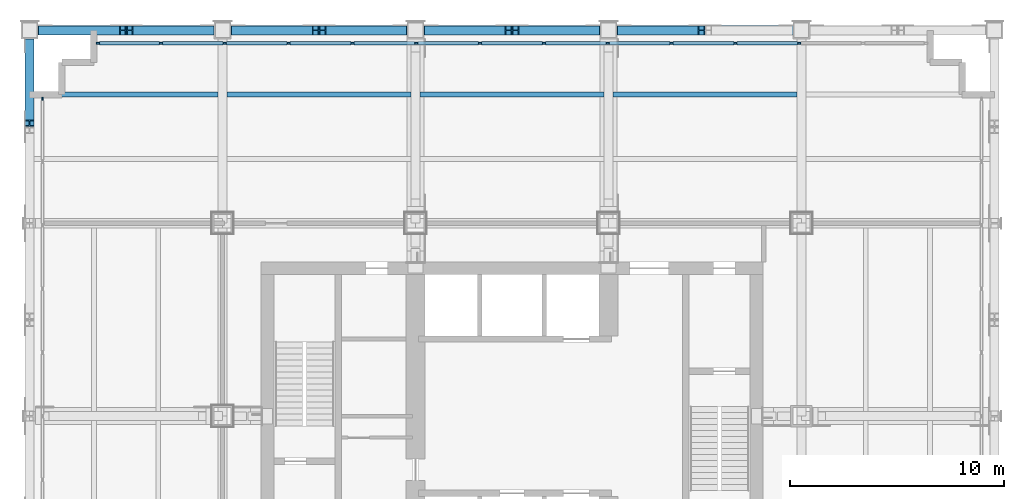
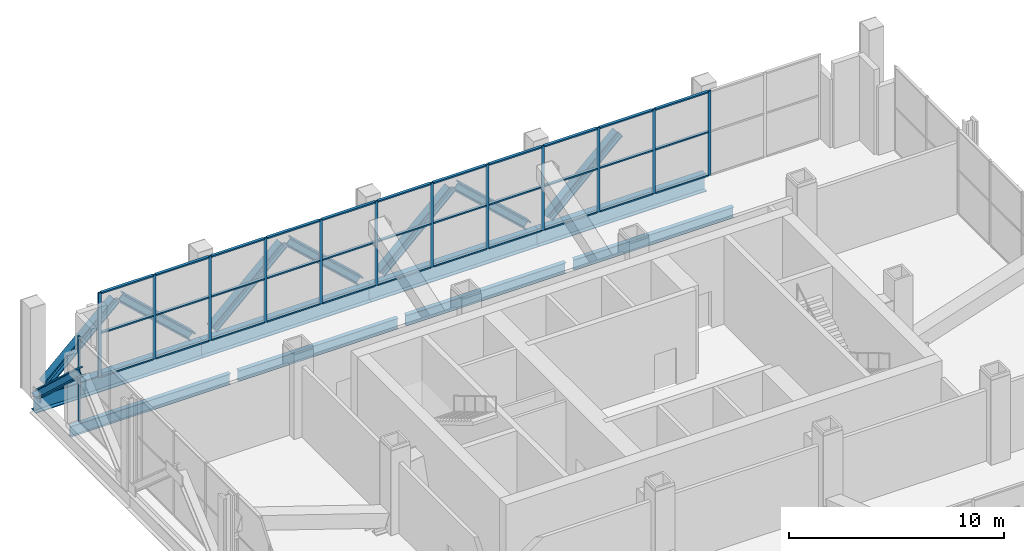
# One storey, part 7 of 16: 54 members, 8 beams, 2 elements without a shape of their own.
"""IFC4 building model written with IfcOpenShell, lengths in metres."""

from ifc_helpers import new_model, si_unit, direction, frame, origin, origin_2d, place, context, subcontext, project, spatial, rectangle, i_section, extrude, material, material_profile, profile_set, type_object, element, aggregate, save


model = new_model("IFC4")

# Units and contexts
model_context = context("Model", 3, precision=1e-05, world=origin(), true_north=direction((0.0, 1.0)))
body_context = subcontext(model_context, "Body", "Model", "MODEL_VIEW")
ifc_project = project(units=[si_unit("LENGTHUNIT", "METRE"), si_unit("AREAUNIT", "SQUARE_METRE"), si_unit("VOLUMEUNIT", "CUBIC_METRE"), si_unit("PLANEANGLEUNIT", "RADIAN"), si_unit("MASSUNIT", "GRAM", prefix="KILO")], contexts=[model_context])

# Site, building, storey
site_placement = place(None, origin())
site = spatial("IfcSite", under=ifc_project, at=site_placement, CompositionType="ELEMENT")
building_placement = place(site_placement, origin())
building = spatial("IfcBuilding", under=site, at=building_placement, Name="Loomwork Tower", CompositionType="ELEMENT")
storey_placement = place(building_placement, frame((0.0, 0.0, 155.39990234375)))
storey = spatial("IfcBuildingStorey", under=building, at=storey_placement, Name="L42", CompositionType="ELEMENT", Elevation=155.39990234375)

# Beams
ifc_material_1 = material(Name="Steel ASTM A992", Category="steel")
ifc_material_profile_1 = material_profile(ifc_material_1, i_section(OverallWidth=0.424072265625, OverallDepth=0.947509765625, WebThickness=0.02392578125, FlangeThickness=0.042724609375, at=origin_2d()), Name="W36x302")
ifc_profile_set_1 = profile_set([ifc_material_profile_1], Name="Steel ASTM A992")
beam_type_1 = type_object("IfcBeamType", Name="BELT CHORD SPANDREL W36x302", PredefinedType="SPANDREL", material=ifc_profile_set_1)
for number, where, z_axis, x_axis, name in (
    (1, (0.0, 36.0, -0.7236328125), (1.0, 0.0, 0.0), (0.0, 1.0, 0.0), "Belt Chord Spandrel H/2-H/3 L42"),
    (2, (9.0, 36.0, -0.7236328125), (1.0, 0.0, 0.0), (0.0, 1.0, 0.0), "Belt Chord Spandrel H/3-H/4 L42"),
    (3, (18.0, 36.0, -0.7236328125), (1.0, 0.0, 0.0), (0.0, 1.0, 0.0), "Belt Chord Spandrel H/4-H/5 L42"),
    (4, (27.0, 36.0, -0.7236328125), (1.0, 0.0, 0.0), (0.0, 1.0, 0.0), "Belt Chord Spandrel H/5-H/6 L42"),
):
    element("IfcBeam", number, at=place(storey_placement, frame(where, z_axis=z_axis, x_axis=x_axis)), inside=storey, type_object=beam_type_1, Name=name, PredefinedType="SPANDREL", context=body_context, shape_type="SweptSolid", body=[
        extrude(i_section(OverallWidth=0.424072265625, OverallDepth=0.947509765625, WebThickness=0.02392578125, FlangeThickness=0.042724609375, at=origin_2d()), origin(), (0.0, 0.0, 1.0), 9.0),
    ])

# Members
ifc_material_2 = material(Name="Steel ASTM A992", Category="steel")
ifc_material_profile_2 = material_profile(ifc_material_2, i_section(OverallWidth=0.419189453125, OverallDepth=0.45458984375, WebThickness=0.042236328125, FlangeThickness=0.067626953125, at=origin_2d()), Name="W14x370")
ifc_profile_set_2 = profile_set([ifc_material_profile_2], Name="Steel ASTM A992")
member_type_1 = type_object("IfcMemberType", Name="BELT TRUSS DIAGONAL W14x370", PredefinedType="BRACE", material=ifc_profile_set_2)
for number, where, z_axis, x_axis, name in (
    (5, (0.564697265625, 36.0, 0.1767578125), (0.733176969672, 0.0, 0.680037889491), (0.0, 1.0, 0.0), "Belt truss diagonal H/2-H/3 L42"),
    (6, (8.435302734375, 36.0, 0.1767578125), (-0.733176969672, 0.0, 0.680037889491), (0.0, -1.0, 0.0), "Belt truss diagonal H/2-H/3 L42"),
    (7, (9.564697265625, 36.0, 0.1767578125), (0.733176969672, 0.0, 0.680037889491), (0.0, 1.0, 0.0), "Belt truss diagonal H/3-H/4 L42"),
    (8, (17.435302734375, 36.0, 0.1767578125), (-0.733176969672, 0.0, 0.680037889491), (0.0, -1.0, 0.0), "Belt truss diagonal H/3-H/4 L42"),
    (9, (18.564697265625, 36.0, 0.1767578125), (0.733176969672, 0.0, 0.680037889491), (0.0, 1.0, 0.0), "Belt truss diagonal H/4-H/5 L42"),
    (10, (26.435302734375, 36.0, 0.1767578125), (-0.733176969672, 0.0, 0.680037889491), (0.0, -1.0, 0.0), "Belt truss diagonal H/4-H/5 L42"),
    (11, (27.564697265625, 36.0, 0.1767578125), (0.733176969672, 0.0, 0.680037889491), (0.0, 1.0, 0.0), "Belt truss diagonal H/5-H/6 L42"),
    (12, (0.0, 35.435302734375, 0.1767578125), (0.0, -0.733176969672, 0.680037889491), (1.0, 0.0, 0.0), "Belt truss diagonal G/2-H/2 L42"),
):
    element("IfcMember", number, at=place(storey_placement, frame(where, z_axis=z_axis, x_axis=x_axis)), inside=storey, type_object=member_type_1, Name=name, PredefinedType="BRACE", context=body_context, shape_type="SweptSolid", body=[
        extrude(i_section(OverallWidth=0.419189453125, OverallDepth=0.45458984375, WebThickness=0.042236328125, FlangeThickness=0.067626953125, at=origin_2d()), origin(), (0.0, 0.0, 1.0), 5.145751953125),
    ])

# Beams
ifc_material_3 = material(Name="Steel ASTM A992", Category="steel")
ifc_material_profile_3 = material_profile(ifc_material_3, i_section(OverallWidth=0.228271484375, OverallDepth=0.607177734375, WebThickness=0.01123046875, FlangeThickness=0.017333984375, at=origin_2d()), Name="W24x76")
ifc_profile_set_3 = profile_set([ifc_material_profile_3], Name="Steel ASTM A992")
beam_type_2 = type_object("IfcBeamType", Name="PLANT FLOOR JOIST W24x76", PredefinedType="JOIST", material=ifc_profile_set_3)
for number, where, z_axis, x_axis, name in (
    (13, (0.2119140625, 33.0, -0.553466796875), (1.0, 0.0, 0.0), (0.0, 1.0, 0.0), "Plant Floor Joist 0.000,33.000-9.000,33.000 L42"),
    (14, (9.212890625, 33.0, -0.553466796875), (1.0, 0.0, 0.0), (0.0, 1.0, 0.0), "Plant Floor Joist 9.000,33.000-18.000,33.000 L42"),
):
    element("IfcBeam", number, at=place(storey_placement, frame(where, z_axis=z_axis, x_axis=x_axis)), inside=storey, type_object=beam_type_2, Name=name, PredefinedType="JOIST", context=body_context, shape_type="SweptSolid", body=[
        extrude(i_section(OverallWidth=0.228271484375, OverallDepth=0.607177734375, WebThickness=0.01123046875, FlangeThickness=0.017333984375, at=origin_2d()), origin(), (0.0, 0.0, 1.0), 8.5751953125),
    ])
beam_1_placement = place(storey_placement, frame((18.2119140625, 33.0, -0.553466796875), z_axis=(1.0, 0.0, 0.0), x_axis=(0.0, 1.0, 0.0)))
element("IfcBeam", 15, at=beam_1_placement, inside=storey, type_object=beam_type_2, Name="Plant Floor Joist 18.000,33.000-27.000,33.000 L42", PredefinedType="JOIST", context=body_context, shape_type="SweptSolid", body=[
    extrude(i_section(OverallWidth=0.228271484375, OverallDepth=0.607177734375, WebThickness=0.01123046875, FlangeThickness=0.017333984375, at=origin_2d()), origin(), (0.0, 0.0, 1.0), 8.576171875),
])
beam_2_placement = place(storey_placement, frame((27.2119140625, 33.0, -0.553466796875), z_axis=(1.0, 0.0, 0.0), x_axis=(0.0, 1.0, 0.0)))
element("IfcBeam", 16, at=beam_2_placement, inside=storey, type_object=beam_type_2, Name="Plant Floor Joist 27.000,33.000-36.000,33.000 L42", PredefinedType="JOIST", context=body_context, shape_type="SweptSolid", body=[
    extrude(i_section(OverallWidth=0.228271484375, OverallDepth=0.607177734375, WebThickness=0.01123046875, FlangeThickness=0.017333984375, at=origin_2d()), origin(), (0.0, 0.0, 1.0), 8.5751953125),
])

# Curtain wall, members
ifc_material_4 = material(Name="Aluminium louvre frame", Category="aluminium")
curtain_wall_type = type_object("IfcCurtainWallType", Name="Plant floor louvre screen", PredefinedType="NOTDEFINED", material=ifc_material_4)
curtain_wall_1_placement = place(storey_placement, origin())
curtain_wall_1 = element("IfcCurtainWall", 17, at=curtain_wall_1_placement, inside=storey, type_object=curtain_wall_type, Name="Plant floor louvre screen cw/N", PredefinedType="NOTDEFINED")
ifc_material_5 = material(Name="Aluminium louvre frame", Category="aluminium")
ifc_material_profile_4 = material_profile(ifc_material_5, rectangle(XDim=0.080078125, YDim=0.14990234375, at=origin_2d()), Name="AL 80x150")
ifc_profile_set_4 = profile_set([ifc_material_profile_4], Name="Aluminium louvre frame")
member_type_2 = type_object("IfcMemberType", Name="Plant floor louvre screen mullion", PredefinedType="MULLION", material=ifc_profile_set_4)
member_1_placement = place(storey_placement, frame((35.896240234375, 35.39990234375, 0.0), z_axis=(0.0, 0.0, 1.0), x_axis=(0.0, -1.0, 0.0)))
member_1 = element("IfcMember", 18, at=member_1_placement, type_object=member_type_2, Name="CW4 mullion 3", PredefinedType="MULLION", context=body_context, shape_type="SweptSolid", body=[
    extrude(rectangle(XDim=0.080078125, YDim=0.14990234375, at=origin_2d()), origin(), (0.0, 0.0, 1.0), 4.800048828125),
])
member_2_placement = place(storey_placement, frame((32.919189453125, 35.39990234375, 0.0), z_axis=(0.0, 0.0, 1.0), x_axis=(0.0, -1.0, 0.0)))
member_2 = element("IfcMember", 19, at=member_2_placement, type_object=member_type_2, Name="CW4 mullion 4", PredefinedType="MULLION", context=body_context, shape_type="SweptSolid", body=[
    extrude(rectangle(XDim=0.080078125, YDim=0.14990234375, at=origin_2d()), origin(), (0.0, 0.0, 1.0), 4.800048828125),
])
member_3_placement = place(storey_placement, frame((29.9423828125, 35.39990234375, 0.0), z_axis=(0.0, 0.0, 1.0), x_axis=(0.0, -1.0, 0.0)))
member_3 = element("IfcMember", 20, at=member_3_placement, type_object=member_type_2, Name="CW4 mullion 5", PredefinedType="MULLION", context=body_context, shape_type="SweptSolid", body=[
    extrude(rectangle(XDim=0.080078125, YDim=0.14990234375, at=origin_2d()), origin(), (0.0, 0.0, 1.0), 4.800048828125),
])
member_4_placement = place(storey_placement, frame((26.96533203125, 35.39990234375, 0.0), z_axis=(0.0, 0.0, 1.0), x_axis=(0.0, -1.0, 0.0)))
member_4 = element("IfcMember", 21, at=member_4_placement, type_object=member_type_2, Name="CW4 mullion 6", PredefinedType="MULLION", context=body_context, shape_type="SweptSolid", body=[
    extrude(rectangle(XDim=0.080078125, YDim=0.14990234375, at=origin_2d()), origin(), (0.0, 0.0, 1.0), 4.800048828125),
])
member_5_placement = place(storey_placement, frame((23.988525390625, 35.39990234375, 0.0), z_axis=(0.0, 0.0, 1.0), x_axis=(0.0, -1.0, 0.0)))
member_5 = element("IfcMember", 22, at=member_5_placement, type_object=member_type_2, Name="CW4 mullion 7", PredefinedType="MULLION", context=body_context, shape_type="SweptSolid", body=[
    extrude(rectangle(XDim=0.080078125, YDim=0.14990234375, at=origin_2d()), origin(), (0.0, 0.0, 1.0), 4.800048828125),
])
member_6_placement = place(storey_placement, frame((21.011474609375, 35.39990234375, 0.0), z_axis=(0.0, 0.0, 1.0), x_axis=(0.0, -1.0, 0.0)))
member_6 = element("IfcMember", 23, at=member_6_placement, type_object=member_type_2, Name="CW4 mullion 8", PredefinedType="MULLION", context=body_context, shape_type="SweptSolid", body=[
    extrude(rectangle(XDim=0.080078125, YDim=0.14990234375, at=origin_2d()), origin(), (0.0, 0.0, 1.0), 4.800048828125),
])
member_7_placement = place(storey_placement, frame((18.03466796875, 35.39990234375, 0.0), z_axis=(0.0, 0.0, 1.0), x_axis=(0.0, -1.0, 0.0)))
member_7 = element("IfcMember", 24, at=member_7_placement, type_object=member_type_2, Name="CW4 mullion 9", PredefinedType="MULLION", context=body_context, shape_type="SweptSolid", body=[
    extrude(rectangle(XDim=0.080078125, YDim=0.14990234375, at=origin_2d()), origin(), (0.0, 0.0, 1.0), 4.800048828125),
])
member_8_placement = place(storey_placement, frame((15.0576171875, 35.39990234375, 0.0), z_axis=(0.0, 0.0, 1.0), x_axis=(0.0, -1.0, 0.0)))
member_8 = element("IfcMember", 25, at=member_8_placement, type_object=member_type_2, Name="CW4 mullion 10", PredefinedType="MULLION", context=body_context, shape_type="SweptSolid", body=[
    extrude(rectangle(XDim=0.080078125, YDim=0.14990234375, at=origin_2d()), origin(), (0.0, 0.0, 1.0), 4.800048828125),
])
member_9_placement = place(storey_placement, frame((12.080810546875, 35.39990234375, 0.0), z_axis=(0.0, 0.0, 1.0), x_axis=(0.0, -1.0, 0.0)))
member_9 = element("IfcMember", 26, at=member_9_placement, type_object=member_type_2, Name="CW4 mullion 11", PredefinedType="MULLION", context=body_context, shape_type="SweptSolid", body=[
    extrude(rectangle(XDim=0.080078125, YDim=0.14990234375, at=origin_2d()), origin(), (0.0, 0.0, 1.0), 4.800048828125),
])
member_10_placement = place(storey_placement, frame((9.103759765625, 35.39990234375, 0.0), z_axis=(0.0, 0.0, 1.0), x_axis=(0.0, -1.0, 0.0)))
member_10 = element("IfcMember", 27, at=member_10_placement, type_object=member_type_2, Name="CW4 mullion 12", PredefinedType="MULLION", context=body_context, shape_type="SweptSolid", body=[
    extrude(rectangle(XDim=0.080078125, YDim=0.14990234375, at=origin_2d()), origin(), (0.0, 0.0, 1.0), 4.800048828125),
])
member_11_placement = place(storey_placement, frame((6.126953125, 35.39990234375, 0.0), z_axis=(0.0, 0.0, 1.0), x_axis=(0.0, -1.0, 0.0)))
member_11 = element("IfcMember", 28, at=member_11_placement, type_object=member_type_2, Name="CW4 mullion 13", PredefinedType="MULLION", context=body_context, shape_type="SweptSolid", body=[
    extrude(rectangle(XDim=0.080078125, YDim=0.14990234375, at=origin_2d()), origin(), (0.0, 0.0, 1.0), 4.800048828125),
])
member_12_placement = place(storey_placement, frame((3.18994140625, 35.39990234375, 0.0), z_axis=(0.0, 0.0, 1.0), x_axis=(0.0, -1.0, 0.0)))
member_12 = element("IfcMember", 29, at=member_12_placement, type_object=member_type_2, Name="CW4 mullion 14", PredefinedType="MULLION", context=body_context, shape_type="SweptSolid", body=[
    extrude(rectangle(XDim=0.080078125, YDim=0.14990234375, at=origin_2d()), origin(), (0.0, 0.0, 1.0), 4.800048828125),
])

# Curtain wall, member
curtain_wall_2_placement = place(storey_placement, origin())
curtain_wall_2 = element("IfcCurtainWall", 30, at=curtain_wall_2_placement, inside=storey, type_object=curtain_wall_type, Name="Plant floor louvre screen cw/W", PredefinedType="NOTDEFINED")
member_13_placement = place(storey_placement, frame((0.60009765625, 32.81005859375, 0.0), z_axis=(0.0, 0.0, 1.0), x_axis=(1.0, 0.0, 0.0)))
member_13 = element("IfcMember", 31, at=member_13_placement, type_object=member_type_2, Name="CW4 mullion 1", PredefinedType="MULLION", context=body_context, shape_type="SweptSolid", body=[
    extrude(rectangle(XDim=0.080078125, YDim=0.14990234375, at=origin_2d()), origin(), (0.0, 0.0, 1.0), 4.800048828125),
])
aggregate(curtain_wall_2, [member_13])

# Member
ifc_material_6 = material(Name="Aluminium louvre frame", Category="aluminium")
ifc_material_profile_5 = material_profile(ifc_material_6, rectangle(XDim=0.14990234375, YDim=0.080078125, at=origin_2d()), Name="AL 80x150")
ifc_profile_set_5 = profile_set([ifc_material_profile_5], Name="Aluminium louvre frame")
member_type_3 = type_object("IfcMemberType", Name="Plant floor louvre screen transom", PredefinedType="USERDEFINED", material=ifc_profile_set_5)
member_14_placement = place(storey_placement, frame((35.821044921875, 35.39990234375, 0.0400390625), z_axis=(-1.0, 0.0, 0.0), x_axis=(0.0, -1.0, 0.0)))
member_14 = element("IfcMember", 32, at=member_14_placement, type_object=member_type_3, Name="CW4 transom 3.1", ObjectType="TRANSOM", PredefinedType="USERDEFINED", context=body_context, shape_type="SweptSolid", body=[
    extrude(rectangle(XDim=0.14990234375, YDim=0.080078125, at=origin_2d()), origin(), (0.0, 0.0, 1.0), 2.826904296875),
])

member_15_placement = place(storey_placement, frame((35.821044921875, 35.39990234375, 2.5), z_axis=(-1.0, 0.0, 0.0), x_axis=(0.0, -1.0, 0.0)))
member_15 = element("IfcMember", 33, at=member_15_placement, type_object=member_type_3, Name="CW4 transom 3.2", ObjectType="TRANSOM", PredefinedType="USERDEFINED", context=body_context, shape_type="SweptSolid", body=[
    extrude(rectangle(XDim=0.14990234375, YDim=0.080078125, at=origin_2d()), origin(), (0.0, 0.0, 1.0), 2.826904296875),
])

member_16_placement = place(storey_placement, frame((35.821044921875, 35.39990234375, 4.760009765625), z_axis=(-1.0, 0.0, 0.0), x_axis=(0.0, -1.0, 0.0)))
member_16 = element("IfcMember", 34, at=member_16_placement, type_object=member_type_3, Name="CW4 transom 3.3", ObjectType="TRANSOM", PredefinedType="USERDEFINED", context=body_context, shape_type="SweptSolid", body=[
    extrude(rectangle(XDim=0.14990234375, YDim=0.080078125, at=origin_2d()), origin(), (0.0, 0.0, 1.0), 2.826904296875),
])

member_17_placement = place(storey_placement, frame((32.84423828125, 35.39990234375, 0.0400390625), z_axis=(-1.0, 0.0, 0.0), x_axis=(0.0, -1.0, 0.0)))
member_17 = element("IfcMember", 35, at=member_17_placement, type_object=member_type_3, Name="CW4 transom 4.1", ObjectType="TRANSOM", PredefinedType="USERDEFINED", context=body_context, shape_type="SweptSolid", body=[
    extrude(rectangle(XDim=0.14990234375, YDim=0.080078125, at=origin_2d()), origin(), (0.0, 0.0, 1.0), 2.826904296875),
])

member_18_placement = place(storey_placement, frame((32.84423828125, 35.39990234375, 2.5), z_axis=(-1.0, 0.0, 0.0), x_axis=(0.0, -1.0, 0.0)))
member_18 = element("IfcMember", 36, at=member_18_placement, type_object=member_type_3, Name="CW4 transom 4.2", ObjectType="TRANSOM", PredefinedType="USERDEFINED", context=body_context, shape_type="SweptSolid", body=[
    extrude(rectangle(XDim=0.14990234375, YDim=0.080078125, at=origin_2d()), origin(), (0.0, 0.0, 1.0), 2.826904296875),
])

member_19_placement = place(storey_placement, frame((32.84423828125, 35.39990234375, 4.760009765625), z_axis=(-1.0, 0.0, 0.0), x_axis=(0.0, -1.0, 0.0)))
member_19 = element("IfcMember", 37, at=member_19_placement, type_object=member_type_3, Name="CW4 transom 4.3", ObjectType="TRANSOM", PredefinedType="USERDEFINED", context=body_context, shape_type="SweptSolid", body=[
    extrude(rectangle(XDim=0.14990234375, YDim=0.080078125, at=origin_2d()), origin(), (0.0, 0.0, 1.0), 2.826904296875),
])

member_20_placement = place(storey_placement, frame((29.8671875, 35.39990234375, 0.0400390625), z_axis=(-1.0, 0.0, 0.0), x_axis=(0.0, -1.0, 0.0)))
member_20 = element("IfcMember", 38, at=member_20_placement, type_object=member_type_3, Name="CW4 transom 5.1", ObjectType="TRANSOM", PredefinedType="USERDEFINED", context=body_context, shape_type="SweptSolid", body=[
    extrude(rectangle(XDim=0.14990234375, YDim=0.080078125, at=origin_2d()), origin(), (0.0, 0.0, 1.0), 2.826904296875),
])

member_21_placement = place(storey_placement, frame((29.8671875, 35.39990234375, 2.5), z_axis=(-1.0, 0.0, 0.0), x_axis=(0.0, -1.0, 0.0)))
member_21 = element("IfcMember", 39, at=member_21_placement, type_object=member_type_3, Name="CW4 transom 5.2", ObjectType="TRANSOM", PredefinedType="USERDEFINED", context=body_context, shape_type="SweptSolid", body=[
    extrude(rectangle(XDim=0.14990234375, YDim=0.080078125, at=origin_2d()), origin(), (0.0, 0.0, 1.0), 2.826904296875),
])

member_22_placement = place(storey_placement, frame((29.8671875, 35.39990234375, 4.760009765625), z_axis=(-1.0, 0.0, 0.0), x_axis=(0.0, -1.0, 0.0)))
member_22 = element("IfcMember", 40, at=member_22_placement, type_object=member_type_3, Name="CW4 transom 5.3", ObjectType="TRANSOM", PredefinedType="USERDEFINED", context=body_context, shape_type="SweptSolid", body=[
    extrude(rectangle(XDim=0.14990234375, YDim=0.080078125, at=origin_2d()), origin(), (0.0, 0.0, 1.0), 2.826904296875),
])

member_23_placement = place(storey_placement, frame((26.890380859375, 35.39990234375, 0.0400390625), z_axis=(-1.0, 0.0, 0.0), x_axis=(0.0, -1.0, 0.0)))
member_23 = element("IfcMember", 41, at=member_23_placement, type_object=member_type_3, Name="CW4 transom 6.1", ObjectType="TRANSOM", PredefinedType="USERDEFINED", context=body_context, shape_type="SweptSolid", body=[
    extrude(rectangle(XDim=0.14990234375, YDim=0.080078125, at=origin_2d()), origin(), (0.0, 0.0, 1.0), 2.826904296875),
])

member_24_placement = place(storey_placement, frame((26.890380859375, 35.39990234375, 2.5), z_axis=(-1.0, 0.0, 0.0), x_axis=(0.0, -1.0, 0.0)))
member_24 = element("IfcMember", 42, at=member_24_placement, type_object=member_type_3, Name="CW4 transom 6.2", ObjectType="TRANSOM", PredefinedType="USERDEFINED", context=body_context, shape_type="SweptSolid", body=[
    extrude(rectangle(XDim=0.14990234375, YDim=0.080078125, at=origin_2d()), origin(), (0.0, 0.0, 1.0), 2.826904296875),
])

member_25_placement = place(storey_placement, frame((26.890380859375, 35.39990234375, 4.760009765625), z_axis=(-1.0, 0.0, 0.0), x_axis=(0.0, -1.0, 0.0)))
member_25 = element("IfcMember", 43, at=member_25_placement, type_object=member_type_3, Name="CW4 transom 6.3", ObjectType="TRANSOM", PredefinedType="USERDEFINED", context=body_context, shape_type="SweptSolid", body=[
    extrude(rectangle(XDim=0.14990234375, YDim=0.080078125, at=origin_2d()), origin(), (0.0, 0.0, 1.0), 2.826904296875),
])

member_26_placement = place(storey_placement, frame((23.91357421875, 35.39990234375, 0.0400390625), z_axis=(-1.0, 0.0, 0.0), x_axis=(0.0, -1.0, 0.0)))
member_26 = element("IfcMember", 44, at=member_26_placement, type_object=member_type_3, Name="CW4 transom 7.1", ObjectType="TRANSOM", PredefinedType="USERDEFINED", context=body_context, shape_type="SweptSolid", body=[
    extrude(rectangle(XDim=0.14990234375, YDim=0.080078125, at=origin_2d()), origin(), (0.0, 0.0, 1.0), 2.8271484375),
])

member_27_placement = place(storey_placement, frame((23.91357421875, 35.39990234375, 2.5), z_axis=(-1.0, 0.0, 0.0), x_axis=(0.0, -1.0, 0.0)))
member_27 = element("IfcMember", 45, at=member_27_placement, type_object=member_type_3, Name="CW4 transom 7.2", ObjectType="TRANSOM", PredefinedType="USERDEFINED", context=body_context, shape_type="SweptSolid", body=[
    extrude(rectangle(XDim=0.14990234375, YDim=0.080078125, at=origin_2d()), origin(), (0.0, 0.0, 1.0), 2.8271484375),
])

member_28_placement = place(storey_placement, frame((23.91357421875, 35.39990234375, 4.760009765625), z_axis=(-1.0, 0.0, 0.0), x_axis=(0.0, -1.0, 0.0)))
member_28 = element("IfcMember", 46, at=member_28_placement, type_object=member_type_3, Name="CW4 transom 7.3", ObjectType="TRANSOM", PredefinedType="USERDEFINED", context=body_context, shape_type="SweptSolid", body=[
    extrude(rectangle(XDim=0.14990234375, YDim=0.080078125, at=origin_2d()), origin(), (0.0, 0.0, 1.0), 2.8271484375),
])

member_29_placement = place(storey_placement, frame((20.9365234375, 35.39990234375, 0.0400390625), z_axis=(-1.0, 0.0, 0.0), x_axis=(0.0, -1.0, 0.0)))
member_29 = element("IfcMember", 47, at=member_29_placement, type_object=member_type_3, Name="CW4 transom 8.1", ObjectType="TRANSOM", PredefinedType="USERDEFINED", context=body_context, shape_type="SweptSolid", body=[
    extrude(rectangle(XDim=0.14990234375, YDim=0.080078125, at=origin_2d()), origin(), (0.0, 0.0, 1.0), 2.826904296875),
])

member_30_placement = place(storey_placement, frame((20.9365234375, 35.39990234375, 2.5), z_axis=(-1.0, 0.0, 0.0), x_axis=(0.0, -1.0, 0.0)))
member_30 = element("IfcMember", 48, at=member_30_placement, type_object=member_type_3, Name="CW4 transom 8.2", ObjectType="TRANSOM", PredefinedType="USERDEFINED", context=body_context, shape_type="SweptSolid", body=[
    extrude(rectangle(XDim=0.14990234375, YDim=0.080078125, at=origin_2d()), origin(), (0.0, 0.0, 1.0), 2.826904296875),
])

member_31_placement = place(storey_placement, frame((20.9365234375, 35.39990234375, 4.760009765625), z_axis=(-1.0, 0.0, 0.0), x_axis=(0.0, -1.0, 0.0)))
member_31 = element("IfcMember", 49, at=member_31_placement, type_object=member_type_3, Name="CW4 transom 8.3", ObjectType="TRANSOM", PredefinedType="USERDEFINED", context=body_context, shape_type="SweptSolid", body=[
    extrude(rectangle(XDim=0.14990234375, YDim=0.080078125, at=origin_2d()), origin(), (0.0, 0.0, 1.0), 2.826904296875),
])

member_32_placement = place(storey_placement, frame((17.959716796875, 35.39990234375, 0.0400390625), z_axis=(-1.0, 0.0, 0.0), x_axis=(0.0, -1.0, 0.0)))
member_32 = element("IfcMember", 50, at=member_32_placement, type_object=member_type_3, Name="CW4 transom 9.1", ObjectType="TRANSOM", PredefinedType="USERDEFINED", context=body_context, shape_type="SweptSolid", body=[
    extrude(rectangle(XDim=0.14990234375, YDim=0.080078125, at=origin_2d()), origin(), (0.0, 0.0, 1.0), 2.826904296875),
])

member_33_placement = place(storey_placement, frame((17.959716796875, 35.39990234375, 2.5), z_axis=(-1.0, 0.0, 0.0), x_axis=(0.0, -1.0, 0.0)))
member_33 = element("IfcMember", 51, at=member_33_placement, type_object=member_type_3, Name="CW4 transom 9.2", ObjectType="TRANSOM", PredefinedType="USERDEFINED", context=body_context, shape_type="SweptSolid", body=[
    extrude(rectangle(XDim=0.14990234375, YDim=0.080078125, at=origin_2d()), origin(), (0.0, 0.0, 1.0), 2.826904296875),
])

member_34_placement = place(storey_placement, frame((17.959716796875, 35.39990234375, 4.760009765625), z_axis=(-1.0, 0.0, 0.0), x_axis=(0.0, -1.0, 0.0)))
member_34 = element("IfcMember", 52, at=member_34_placement, type_object=member_type_3, Name="CW4 transom 9.3", ObjectType="TRANSOM", PredefinedType="USERDEFINED", context=body_context, shape_type="SweptSolid", body=[
    extrude(rectangle(XDim=0.14990234375, YDim=0.080078125, at=origin_2d()), origin(), (0.0, 0.0, 1.0), 2.826904296875),
])

member_35_placement = place(storey_placement, frame((14.982666015625, 35.39990234375, 0.0400390625), z_axis=(-1.0, 0.0, 0.0), x_axis=(0.0, -1.0, 0.0)))
member_35 = element("IfcMember", 53, at=member_35_placement, type_object=member_type_3, Name="CW4 transom 10.1", ObjectType="TRANSOM", PredefinedType="USERDEFINED", context=body_context, shape_type="SweptSolid", body=[
    extrude(rectangle(XDim=0.14990234375, YDim=0.080078125, at=origin_2d()), origin(), (0.0, 0.0, 1.0), 2.826904296875),
])

member_36_placement = place(storey_placement, frame((14.982666015625, 35.39990234375, 2.5), z_axis=(-1.0, 0.0, 0.0), x_axis=(0.0, -1.0, 0.0)))
member_36 = element("IfcMember", 54, at=member_36_placement, type_object=member_type_3, Name="CW4 transom 10.2", ObjectType="TRANSOM", PredefinedType="USERDEFINED", context=body_context, shape_type="SweptSolid", body=[
    extrude(rectangle(XDim=0.14990234375, YDim=0.080078125, at=origin_2d()), origin(), (0.0, 0.0, 1.0), 2.826904296875),
])

member_37_placement = place(storey_placement, frame((14.982666015625, 35.39990234375, 4.760009765625), z_axis=(-1.0, 0.0, 0.0), x_axis=(0.0, -1.0, 0.0)))
member_37 = element("IfcMember", 55, at=member_37_placement, type_object=member_type_3, Name="CW4 transom 10.3", ObjectType="TRANSOM", PredefinedType="USERDEFINED", context=body_context, shape_type="SweptSolid", body=[
    extrude(rectangle(XDim=0.14990234375, YDim=0.080078125, at=origin_2d()), origin(), (0.0, 0.0, 1.0), 2.826904296875),
])

member_38_placement = place(storey_placement, frame((12.005859375, 35.39990234375, 0.0400390625), z_axis=(-1.0, 0.0, 0.0), x_axis=(0.0, -1.0, 0.0)))
member_38 = element("IfcMember", 56, at=member_38_placement, type_object=member_type_3, Name="CW4 transom 11.1", ObjectType="TRANSOM", PredefinedType="USERDEFINED", context=body_context, shape_type="SweptSolid", body=[
    extrude(rectangle(XDim=0.14990234375, YDim=0.080078125, at=origin_2d()), origin(), (0.0, 0.0, 1.0), 2.826904296875),
])

member_39_placement = place(storey_placement, frame((12.005859375, 35.39990234375, 2.5), z_axis=(-1.0, 0.0, 0.0), x_axis=(0.0, -1.0, 0.0)))
member_39 = element("IfcMember", 57, at=member_39_placement, type_object=member_type_3, Name="CW4 transom 11.2", ObjectType="TRANSOM", PredefinedType="USERDEFINED", context=body_context, shape_type="SweptSolid", body=[
    extrude(rectangle(XDim=0.14990234375, YDim=0.080078125, at=origin_2d()), origin(), (0.0, 0.0, 1.0), 2.826904296875),
])

member_40_placement = place(storey_placement, frame((12.005859375, 35.39990234375, 4.760009765625), z_axis=(-1.0, 0.0, 0.0), x_axis=(0.0, -1.0, 0.0)))
member_40 = element("IfcMember", 58, at=member_40_placement, type_object=member_type_3, Name="CW4 transom 11.3", ObjectType="TRANSOM", PredefinedType="USERDEFINED", context=body_context, shape_type="SweptSolid", body=[
    extrude(rectangle(XDim=0.14990234375, YDim=0.080078125, at=origin_2d()), origin(), (0.0, 0.0, 1.0), 2.826904296875),
])

member_41_placement = place(storey_placement, frame((9.02880859375, 35.39990234375, 0.0400390625), z_axis=(-1.0, 0.0, 0.0), x_axis=(0.0, -1.0, 0.0)))
member_41 = element("IfcMember", 59, at=member_41_placement, type_object=member_type_3, Name="CW4 transom 12.1", ObjectType="TRANSOM", PredefinedType="USERDEFINED", context=body_context, shape_type="SweptSolid", body=[
    extrude(rectangle(XDim=0.14990234375, YDim=0.080078125, at=origin_2d()), origin(), (0.0, 0.0, 1.0), 2.826904296875),
])

member_42_placement = place(storey_placement, frame((9.02880859375, 35.39990234375, 2.5), z_axis=(-1.0, 0.0, 0.0), x_axis=(0.0, -1.0, 0.0)))
member_42 = element("IfcMember", 60, at=member_42_placement, type_object=member_type_3, Name="CW4 transom 12.2", ObjectType="TRANSOM", PredefinedType="USERDEFINED", context=body_context, shape_type="SweptSolid", body=[
    extrude(rectangle(XDim=0.14990234375, YDim=0.080078125, at=origin_2d()), origin(), (0.0, 0.0, 1.0), 2.826904296875),
])

member_43_placement = place(storey_placement, frame((9.02880859375, 35.39990234375, 4.760009765625), z_axis=(-1.0, 0.0, 0.0), x_axis=(0.0, -1.0, 0.0)))
member_43 = element("IfcMember", 61, at=member_43_placement, type_object=member_type_3, Name="CW4 transom 12.3", ObjectType="TRANSOM", PredefinedType="USERDEFINED", context=body_context, shape_type="SweptSolid", body=[
    extrude(rectangle(XDim=0.14990234375, YDim=0.080078125, at=origin_2d()), origin(), (0.0, 0.0, 1.0), 2.826904296875),
])

member_44_placement = place(storey_placement, frame((6.052001953125, 35.39990234375, 0.0400390625), z_axis=(-1.0, 0.0, 0.0), x_axis=(0.0, -1.0, 0.0)))
member_44 = element("IfcMember", 62, at=member_44_placement, type_object=member_type_3, Name="CW4 transom 13.1", ObjectType="TRANSOM", PredefinedType="USERDEFINED", context=body_context, shape_type="SweptSolid", body=[
    extrude(rectangle(XDim=0.14990234375, YDim=0.080078125, at=origin_2d()), origin(), (0.0, 0.0, 1.0), 2.787109375),
])

member_45_placement = place(storey_placement, frame((6.052001953125, 35.39990234375, 2.5), z_axis=(-1.0, 0.0, 0.0), x_axis=(0.0, -1.0, 0.0)))
member_45 = element("IfcMember", 63, at=member_45_placement, type_object=member_type_3, Name="CW4 transom 13.2", ObjectType="TRANSOM", PredefinedType="USERDEFINED", context=body_context, shape_type="SweptSolid", body=[
    extrude(rectangle(XDim=0.14990234375, YDim=0.080078125, at=origin_2d()), origin(), (0.0, 0.0, 1.0), 2.787109375),
])

member_46_placement = place(storey_placement, frame((6.052001953125, 35.39990234375, 4.760009765625), z_axis=(-1.0, 0.0, 0.0), x_axis=(0.0, -1.0, 0.0)))
member_46 = element("IfcMember", 64, at=member_46_placement, type_object=member_type_3, Name="CW4 transom 13.3", ObjectType="TRANSOM", PredefinedType="USERDEFINED", context=body_context, shape_type="SweptSolid", body=[
    extrude(rectangle(XDim=0.14990234375, YDim=0.080078125, at=origin_2d()), origin(), (0.0, 0.0, 1.0), 2.787109375),
])

aggregate(curtain_wall_1, [member_1, member_2, member_3, member_4, member_5, member_6, member_7, member_8, member_9, member_10, member_11, member_12, member_14, member_15, member_16, member_17, member_18, member_19, member_20, member_21, member_22, member_23, member_24, member_25, member_26, member_27, member_28, member_29, member_30, member_31, member_32, member_33, member_34, member_35, member_36, member_37, member_38, member_39, member_40, member_41, member_42, member_43, member_44, member_45, member_46])

save(model, "model.ifc")
